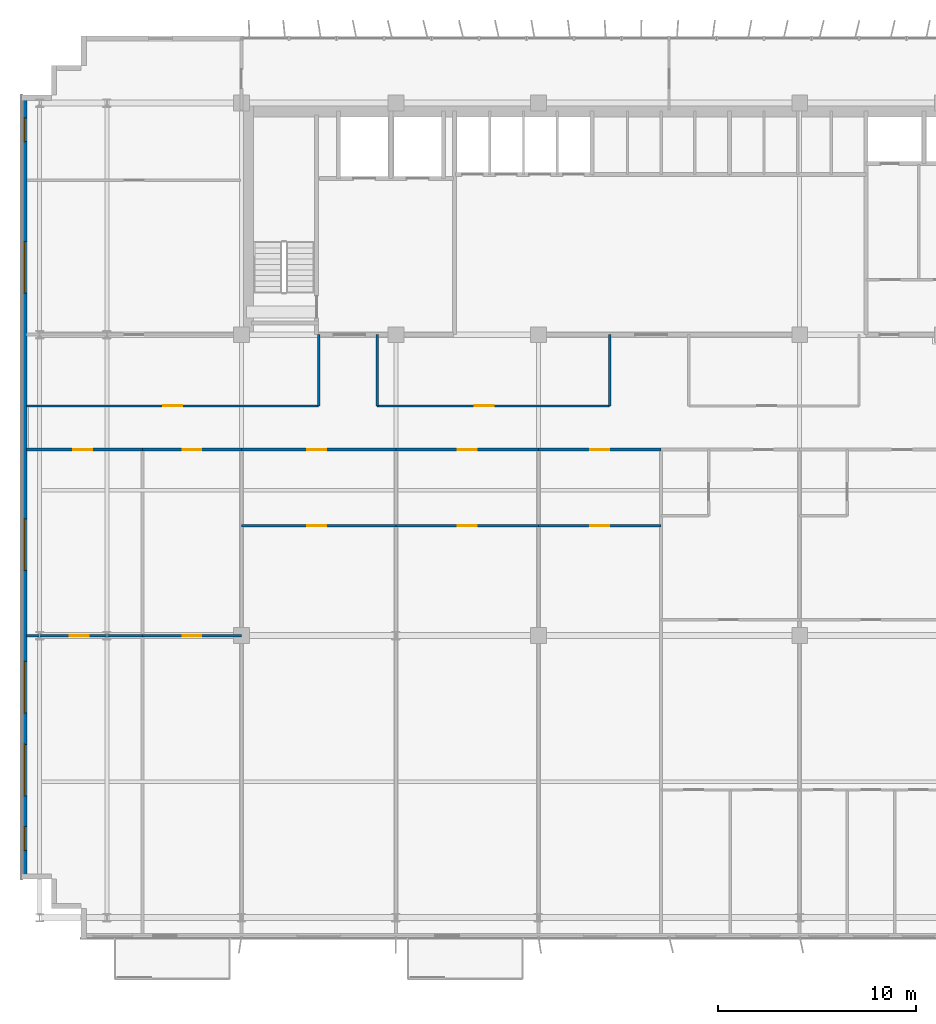
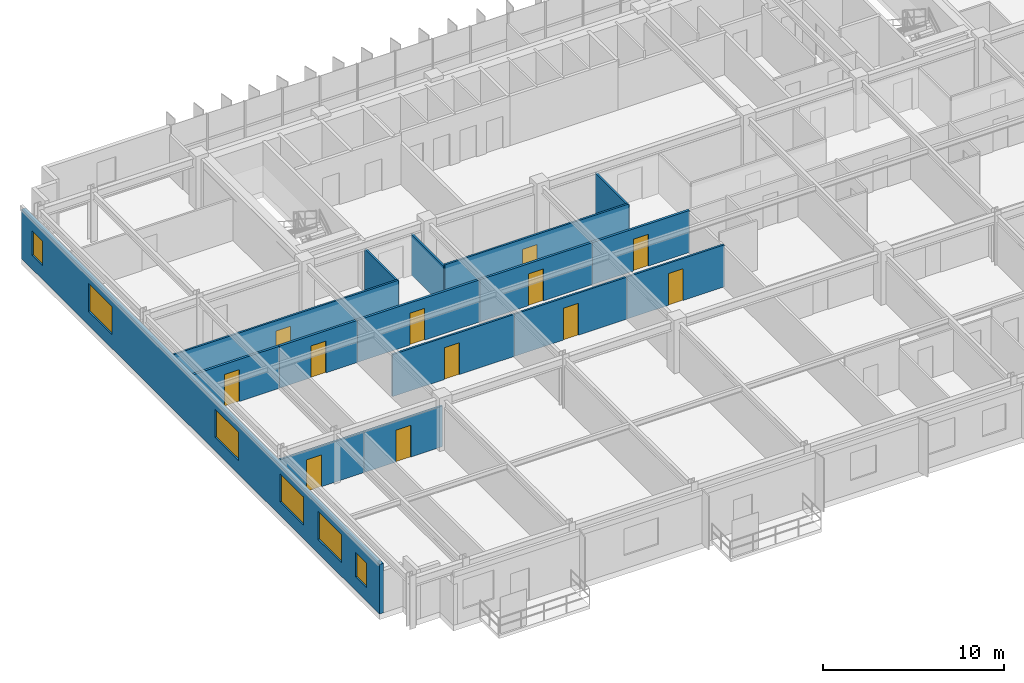
# One storey, part 14 of 22: 16 walls, 12 doors, 6 windows, 18 openings.
"""IFC4 building model written with IfcOpenShell, lengths in metres."""

from ifc_helpers import new_model, si_unit, direction, frame, frame_2d, origin, place, context, subcontext, project, spatial, rectangle, extrude, source, transform, mapped, material, layer, layer_set, type_object, element, fill, save


model = new_model("IFC4")

# Units and contexts
model_context = context("Model", 3, precision=1e-05, world=origin(), true_north=direction((0.0, 1.0)))
body_context = subcontext(model_context, "Body", "Model", "MODEL_VIEW")
ifc_project = project(units=[si_unit("LENGTHUNIT", "METRE"), si_unit("AREAUNIT", "SQUARE_METRE"), si_unit("VOLUMEUNIT", "CUBIC_METRE"), si_unit("PLANEANGLEUNIT", "RADIAN"), si_unit("MASSUNIT", "GRAM", prefix="KILO")], contexts=[model_context])

# Site, building, storey
site_placement = place(None, origin())
site = spatial("IfcSite", under=ifc_project, at=site_placement, CompositionType="ELEMENT")
building_placement = place(site_placement, origin())
building = spatial("IfcBuilding", under=site, at=building_placement, Name="Trelvane Seafront Commons", CompositionType="ELEMENT")
storey_placement = place(building_placement, frame((0.0, 0.0, 81.699951171875)))
storey = spatial("IfcBuildingStorey", under=building, at=storey_placement, Name="L20", CompositionType="ELEMENT", Elevation=81.699951171875)

# Wall, openings, windows
ifc_material_1 = material(Name="Precast concrete C40/50", Category="concrete")
ifc_layer_1 = layer(ifc_material_1, 0.260009765625, Name="ARCH-WALL-EXT260")
ifc_layer_set_1 = layer_set([ifc_layer_1], Name="Precast concrete C40/50")
wall_type_1 = type_object("IfcWallType", Name="ARCH-WALL-EXT260", PredefinedType="SOLIDWALL", material=ifc_layer_set_1)
wall_1_placement = place(storey_placement, frame((4.6298828125, 5.89990234375, 0.0), z_axis=(0.0, 0.0, 1.0), x_axis=(0.0, 1.0, 0.0)))
wall_1 = element("IfcWall", 1, at=wall_1_placement, inside=storey, type_object=wall_type_1, Name="EW-L20-00354", PredefinedType="SOLIDWALL", context=body_context, shape_type="SweptSolid", body=[
    extrude(rectangle(XDim=39.60009765625, YDim=0.260009765625, at=frame_2d((19.800048828125, 0.0))), origin(), (0.0, 0.0, 1.0), 3.340087890625),
])
opening_1_placement = place(wall_1_placement, frame((1.449951171875, 0.0, 0.919921875)))
opening_1 = element("IfcOpeningElement", 2, at=opening_1_placement, cuts=wall_1, Name="Opening W05", PredefinedType="OPENING", context=body_context, shape_type="SweptSolid", body=[
    extrude(rectangle(XDim=1.199951171875, YDim=1.64990234375, at=frame_2d((0.60009765625, 0.824951171875))), frame((0.0, 0.139892578125, 0.0), z_axis=(0.0, -1.0, 0.0), x_axis=(1.0, 0.0, 0.0)), (0.0, 0.0, 1.0), 0.280029296875),
])
opening_2_placement = place(wall_1_placement, frame((4.199951171875, 0.0, 0.919921875)))
opening_2 = element("IfcOpeningElement", 3, at=opening_2_placement, cuts=wall_1, Name="Opening W04", PredefinedType="OPENING", context=body_context, shape_type="SweptSolid", body=[
    extrude(rectangle(XDim=2.60009765625, YDim=1.89990234375, at=frame_2d((1.300048828125, 0.949951171875))), frame((0.0, 0.139892578125, 0.0), z_axis=(0.0, -1.0, 0.0), x_axis=(1.0, 0.0, 0.0)), (0.0, 0.0, 1.0), 0.280029296875),
])
opening_3_placement = place(wall_1_placement, frame((8.39990234375, 0.0, 0.919921875)))
opening_3 = element("IfcOpeningElement", 4, at=opening_3_placement, cuts=wall_1, Name="Opening W04", PredefinedType="OPENING", context=body_context, shape_type="SweptSolid", body=[
    extrude(rectangle(XDim=2.60009765625, YDim=1.89990234375, at=frame_2d((1.300048828125, 0.949951171875))), frame((0.0, 0.139892578125, 0.0), z_axis=(0.0, -1.0, 0.0), x_axis=(1.0, 0.0, 0.0)), (0.0, 0.0, 1.0), 0.280029296875),
])
opening_4_placement = place(wall_1_placement, frame((15.60009765625, 0.0, 0.919921875)))
opening_4 = element("IfcOpeningElement", 5, at=opening_4_placement, cuts=wall_1, Name="Opening W04", PredefinedType="OPENING", context=body_context, shape_type="SweptSolid", body=[
    extrude(rectangle(XDim=2.60009765625, YDim=1.89990234375, at=frame_2d((1.300048828125, 0.949951171875))), frame((0.0, 0.139892578125, 0.0), z_axis=(0.0, -1.0, 0.0), x_axis=(1.0, 0.0, 0.0)), (0.0, 0.0, 1.0), 0.280029296875),
])
opening_5_placement = place(wall_1_placement, frame((29.60009765625, 0.0, 0.919921875)))
opening_5 = element("IfcOpeningElement", 6, at=opening_5_placement, cuts=wall_1, Name="Opening W04", PredefinedType="OPENING", context=body_context, shape_type="SweptSolid", body=[
    extrude(rectangle(XDim=2.60009765625, YDim=1.89990234375, at=frame_2d((1.300048828125, 0.949951171875))), frame((0.0, 0.139892578125, 0.0), z_axis=(0.0, -1.0, 0.0), x_axis=(1.0, 0.0, 0.0)), (0.0, 0.0, 1.0), 0.280029296875),
])
opening_6_placement = place(wall_1_placement, frame((37.25, 0.0, 0.919921875)))
opening_6 = element("IfcOpeningElement", 7, at=opening_6_placement, cuts=wall_1, Name="Opening W05", PredefinedType="OPENING", context=body_context, shape_type="SweptSolid", body=[
    extrude(rectangle(XDim=1.199951171875, YDim=1.64990234375, at=frame_2d((0.60009765625, 0.824951171875))), frame((0.0, 0.139892578125, 0.0), z_axis=(0.0, -1.0, 0.0), x_axis=(1.0, 0.0, 0.0)), (0.0, 0.0, 1.0), 0.280029296875),
])
ifc_material_2 = material(Name="Low-E coastal double glazing", Category="glass")
window_type_1 = type_object("IfcWindowType", Name="ARCH-WIN-W04", PartitioningType="SINGLE_PANEL", PredefinedType="WINDOW", material=ifc_material_2)
shared_shape_1 = source(origin(), body_context, "Body", "SweptSolid", [
    extrude(rectangle(XDim=2.60009765625, YDim=1.89990234375, at=frame_2d((1.300048828125, 0.949951171875))), frame((0.0, 0.030029296875, 0.0), z_axis=(0.0, -1.0, 0.0), x_axis=(1.0, 0.0, 0.0)), (0.0, 0.0, 1.0), 0.06005859375),
])
window_1_placement = place(opening_2_placement, origin())
window_1 = element("IfcWindow", 8, at=window_1_placement, inside=storey, type_object=window_type_1, Name="WIN-L20-EW-00399", OverallHeight=1.89990234375, OverallWidth=2.60009765625, PartitioningType="SINGLE_PANEL", PredefinedType="WINDOW", context=body_context, shape_type="MappedRepresentation", body=[
    mapped(shared_shape_1, transform((0.0, 0.0, 0.0), x_axis=(1.0, 0.0, 0.0), y_axis=(0.0, 1.0, 0.0), z_axis=(0.0, 0.0, 1.0), scale=1.0)),
])
fill(opening_2, window_1)
window_2_placement = place(opening_3_placement, origin())
window_2 = element("IfcWindow", 9, at=window_2_placement, inside=storey, type_object=window_type_1, Name="WIN-L20-EW-00400", OverallHeight=1.89990234375, OverallWidth=2.60009765625, PartitioningType="SINGLE_PANEL", PredefinedType="WINDOW", context=body_context, shape_type="MappedRepresentation", body=[
    mapped(shared_shape_1, transform((0.0, 0.0, 0.0), x_axis=(1.0, 0.0, 0.0), y_axis=(0.0, 1.0, 0.0), z_axis=(0.0, 0.0, 1.0), scale=1.0)),
])
fill(opening_3, window_2)
window_3_placement = place(opening_4_placement, origin())
window_3 = element("IfcWindow", 10, at=window_3_placement, inside=storey, type_object=window_type_1, Name="WIN-L20-EW-00401", OverallHeight=1.89990234375, OverallWidth=2.60009765625, PartitioningType="SINGLE_PANEL", PredefinedType="WINDOW", context=body_context, shape_type="MappedRepresentation", body=[
    mapped(shared_shape_1, transform((0.0, 0.0, 0.0), x_axis=(1.0, 0.0, 0.0), y_axis=(0.0, 1.0, 0.0), z_axis=(0.0, 0.0, 1.0), scale=1.0)),
])
fill(opening_4, window_3)
window_4_placement = place(opening_5_placement, origin())
window_4 = element("IfcWindow", 11, at=window_4_placement, inside=storey, type_object=window_type_1, Name="WIN-L20-EW-00402", OverallHeight=1.89990234375, OverallWidth=2.60009765625, PartitioningType="SINGLE_PANEL", PredefinedType="WINDOW", context=body_context, shape_type="MappedRepresentation", body=[
    mapped(shared_shape_1, transform((0.0, 0.0, 0.0), x_axis=(1.0, 0.0, 0.0), y_axis=(0.0, 1.0, 0.0), z_axis=(0.0, 0.0, 1.0), scale=1.0)),
])
fill(opening_5, window_4)
window_type_2 = type_object("IfcWindowType", Name="ARCH-WIN-W05", PartitioningType="SINGLE_PANEL", PredefinedType="WINDOW", material=ifc_material_2)
shared_shape_2 = source(origin(), body_context, "Body", "SweptSolid", [
    extrude(rectangle(XDim=1.199951171875, YDim=1.64990234375, at=frame_2d((0.60009765625, 0.824951171875))), frame((0.0, 0.030029296875, 0.0), z_axis=(0.0, -1.0, 0.0), x_axis=(1.0, 0.0, 0.0)), (0.0, 0.0, 1.0), 0.06005859375),
])
window_5_placement = place(opening_1_placement, origin())
window_5 = element("IfcWindow", 12, at=window_5_placement, inside=storey, type_object=window_type_2, Name="WIN-L20-EW-00398", OverallHeight=1.64990234375, OverallWidth=1.199951171875, PartitioningType="SINGLE_PANEL", PredefinedType="WINDOW", context=body_context, shape_type="MappedRepresentation", body=[
    mapped(shared_shape_2, transform((0.0, 0.0, 0.0), x_axis=(1.0, 0.0, 0.0), y_axis=(0.0, 1.0, 0.0), z_axis=(0.0, 0.0, 1.0), scale=1.0)),
])
fill(opening_1, window_5)
window_6_placement = place(opening_6_placement, origin())
window_6 = element("IfcWindow", 13, at=window_6_placement, inside=storey, type_object=window_type_2, Name="WIN-L20-EW-00403", OverallHeight=1.64990234375, OverallWidth=1.199951171875, PartitioningType="SINGLE_PANEL", PredefinedType="WINDOW", context=body_context, shape_type="MappedRepresentation", body=[
    mapped(shared_shape_2, transform((0.0, 0.0, 0.0), x_axis=(1.0, 0.0, 0.0), y_axis=(0.0, 1.0, 0.0), z_axis=(0.0, 0.0, 1.0), scale=1.0)),
])
fill(opening_6, window_6)

# Wall, opening, door
ifc_material_3 = material(Name="Gypsum Drywall Acoustic Partition")
ifc_layer_2 = layer(ifc_material_3, 0.1201171875, Name="ARCH-WALL-PART120")
ifc_layer_set_2 = layer_set([ifc_layer_2], Name="Gypsum Drywall Acoustic Partition")
wall_type_2 = type_object("IfcWallType", Name="ARCH-WALL-PART120", PredefinedType="PARTITIONING", material=ifc_layer_set_2)
wall_2_placement = place(storey_placement, frame((4.75, 29.800048828125, 0.0), z_axis=(0.0, 0.0, 1.0), x_axis=(1.0, 0.0, 0.0)))
wall_2 = element("IfcWall", 14, at=wall_2_placement, inside=storey, type_object=wall_type_2, Name="W-L20-CORR-N-W-038", PredefinedType="PARTITIONING", context=body_context, shape_type="SweptSolid", body=[
    extrude(rectangle(XDim=14.75, YDim=0.1201171875, at=frame_2d((7.375, 0.0))), origin(), (0.0, 0.0, 1.0), 2.840087890625),
])
opening_7_placement = place(wall_2_placement, frame((6.89990234375, 0.0, 0.0)))
opening_7 = element("IfcOpeningElement", 15, at=opening_7_placement, cuts=wall_2, Name="Opening D-L20-18", PredefinedType="OPENING", context=body_context, shape_type="SweptSolid", body=[
    extrude(rectangle(XDim=0.949951171875, YDim=2.14990234375, at=frame_2d((0.47509765625, 1.074951171875))), frame((0.0, 0.070068359375, 0.0), z_axis=(0.0, -1.0, 0.0), x_axis=(1.0, 0.0, 0.0)), (0.0, 0.0, 1.0), 0.14013671875),
])
ifc_material_4 = material(Name="Acoustic timber door leaf", Category="wood")
door_type_1 = type_object("IfcDoorType", Name="ARCH-DR-INT950", OperationType="NOTDEFINED", PredefinedType="DOOR", material=ifc_material_4)
shared_shape_3 = source(origin(), body_context, "Body", "SweptSolid", [
    extrude(rectangle(XDim=0.949951171875, YDim=2.14990234375, at=frame_2d((0.47509765625, 1.074951171875))), frame((0.0, 0.02490234375, 0.0), z_axis=(0.0, -1.0, 0.0), x_axis=(1.0, 0.0, 0.0)), (0.0, 0.0, 1.0), 0.050048828125),
])
door_1_placement = place(opening_7_placement, origin())
door_1 = element("IfcDoor", 16, at=door_1_placement, inside=storey, type_object=door_type_1, Name="L20 Door 18", OperationType="SINGLE_SWING_RIGHT", OverallHeight=2.14990234375, OverallWidth=0.949951171875, PredefinedType="DOOR", context=body_context, shape_type="MappedRepresentation", body=[
    mapped(shared_shape_3, transform((0.0, 0.0, 0.0), x_axis=(1.0, 0.0, 0.0), y_axis=(0.0, 1.0, 0.0), z_axis=(0.0, 0.0, 1.0), scale=1.0)),
])
fill(opening_7, door_1)

wall_3_placement = place(storey_placement, frame((22.449951171875, 29.800048828125, 0.0), z_axis=(0.0, 0.0, 1.0), x_axis=(1.0, 0.0, 0.0)))
wall_3 = element("IfcWall", 17, at=wall_3_placement, inside=storey, type_object=wall_type_2, Name="W-L20-CORR-N-M1-039", PredefinedType="PARTITIONING", context=body_context, shape_type="SweptSolid", body=[
    extrude(rectangle(XDim=11.75, YDim=0.1201171875, at=frame_2d((5.875, 0.0))), origin(), (0.0, 0.0, 1.0), 2.840087890625),
])
opening_8_placement = place(wall_3_placement, frame((4.944091796875, 0.0, 0.0)))
opening_8 = element("IfcOpeningElement", 18, at=opening_8_placement, cuts=wall_3, Name="Opening D-L20-19", PredefinedType="OPENING", context=body_context, shape_type="SweptSolid", body=[
    extrude(rectangle(XDim=0.949951171875, YDim=2.14990234375, at=frame_2d((0.47509765625, 1.074951171875))), frame((0.0, 0.070068359375, 0.0), z_axis=(0.0, -1.0, 0.0), x_axis=(1.0, 0.0, 0.0)), (0.0, 0.0, 1.0), 0.14013671875),
])
door_2_placement = place(opening_8_placement, origin())
door_2 = element("IfcDoor", 19, at=door_2_placement, inside=storey, type_object=door_type_1, Name="L20 Door 19", OperationType="SINGLE_SWING_LEFT", OverallHeight=2.14990234375, OverallWidth=0.949951171875, PredefinedType="DOOR", context=body_context, shape_type="MappedRepresentation", body=[
    mapped(shared_shape_3, transform((0.0, 0.0, 0.0), x_axis=(1.0, 0.0, 0.0), y_axis=(0.0, 1.0, 0.0), z_axis=(0.0, 0.0, 1.0), scale=1.0)),
])
fill(opening_8, door_2)

# Walls
for number, where, z_axis, x_axis, name in (
    (20, (19.5, 29.800048828125, 0.0), (0.0, 0.0, 1.0), (0.0, 1.0, 0.0), "W-L20-N-SPUR-W1-043"),
    (21, (22.449951171875, 29.800048828125, 0.0), (0.0, 0.0, 1.0), (0.0, 1.0, 0.0), "W-L20-N-SPUR-W2-044"),
    (22, (34.199951171875, 29.800048828125, 0.0), (0.0, 0.0, 1.0), (0.0, 1.0, 0.0), "W-L20-N-SPUR-M1-045"),
):
    element("IfcWall", number, at=place(storey_placement, frame(where, z_axis=z_axis, x_axis=x_axis)), inside=storey, type_object=wall_type_2, Name=name, PredefinedType="PARTITIONING", context=body_context, shape_type="SweptSolid", body=[
        extrude(rectangle(XDim=3.599853515625, YDim=0.1201171875, at=frame_2d((1.7998046875, 0.0))), origin(), (0.0, 0.0, 1.0), 2.751953125),
    ])

# Wall, opening, door
wall_4_placement = place(storey_placement, frame((4.7451171875, 18.199951171875, 0.0), z_axis=(0.0, 0.0, 1.0), x_axis=(1.0, 0.0, 0.0)))
wall_4 = element("IfcWall", 23, at=wall_4_placement, inside=storey, type_object=wall_type_2, Name="W-L20-U1-DIV-070", PredefinedType="PARTITIONING", context=body_context, shape_type="SweptSolid", body=[
    extrude(rectangle(XDim=5.85498046875, YDim=0.1201171875, at=frame_2d((2.927490234375, 0.0))), origin(), (0.0, 0.0, 1.0), 2.751953125),
])
opening_9_placement = place(wall_4_placement, frame((2.181884765625, 0.0, 0.0)))
opening_9 = element("IfcOpeningElement", 24, at=opening_9_placement, cuts=wall_4, Name="Opening D-L20-33", PredefinedType="OPENING", context=body_context, shape_type="SweptSolid", body=[
    extrude(rectangle(XDim=0.949951171875, YDim=2.14990234375, at=frame_2d((0.47509765625, 1.074951171875))), frame((0.0, 0.070068359375, 0.0), z_axis=(0.0, -1.0, 0.0), x_axis=(1.0, 0.0, 0.0)), (0.0, 0.0, 1.0), 0.14013671875),
])
door_3_placement = place(opening_9_placement, origin())
door_3 = element("IfcDoor", 25, at=door_3_placement, inside=storey, type_object=door_type_1, Name="L20 Door 33", OperationType="SINGLE_SWING_LEFT", OverallHeight=2.14990234375, OverallWidth=0.949951171875, PredefinedType="DOOR", context=body_context, shape_type="MappedRepresentation", body=[
    mapped(shared_shape_3, transform((0.0, 0.0, 0.0), x_axis=(1.0, 0.0, 0.0), y_axis=(0.0, 1.0, 0.0), z_axis=(0.0, 0.0, 1.0), scale=1.0)),
])
fill(opening_9, door_3)

wall_5_placement = place(storey_placement, frame((10.60009765625, 18.199951171875, 0.0), z_axis=(0.0, 0.0, 1.0), x_axis=(1.0, 0.0, 0.0)))
wall_5 = element("IfcWall", 26, at=wall_5_placement, inside=storey, type_object=wall_type_2, Name="W-L20-U2-DIV-072", PredefinedType="PARTITIONING", context=body_context, shape_type="SweptSolid", body=[
    extrude(rectangle(XDim=5.0, YDim=0.1201171875, at=frame_2d((2.5, 0.0))), origin(), (0.0, 0.0, 1.0), 2.751953125),
])
opening_10_placement = place(wall_5_placement, frame((2.02490234375, 0.0, 0.0)))
opening_10 = element("IfcOpeningElement", 27, at=opening_10_placement, cuts=wall_5, Name="Opening D-L20-35", PredefinedType="OPENING", context=body_context, shape_type="SweptSolid", body=[
    extrude(rectangle(XDim=0.949951171875, YDim=2.14990234375, at=frame_2d((0.47509765625, 1.074951171875))), frame((0.0, 0.070068359375, 0.0), z_axis=(0.0, -1.0, 0.0), x_axis=(1.0, 0.0, 0.0)), (0.0, 0.0, 1.0), 0.14013671875),
])
door_4_placement = place(opening_10_placement, origin())
door_4 = element("IfcDoor", 28, at=door_4_placement, inside=storey, type_object=door_type_1, Name="L20 Door 35", OperationType="SINGLE_SWING_LEFT", OverallHeight=2.14990234375, OverallWidth=0.949951171875, PredefinedType="DOOR", context=body_context, shape_type="MappedRepresentation", body=[
    mapped(shared_shape_3, transform((0.0, 0.0, 0.0), x_axis=(1.0, 0.0, 0.0), y_axis=(0.0, 1.0, 0.0), z_axis=(0.0, 0.0, 1.0), scale=1.0)),
])
fill(opening_10, door_4)

wall_6_placement = place(storey_placement, frame((15.60009765625, 23.75, 0.0), z_axis=(0.0, 0.0, 1.0), x_axis=(1.0, 0.0, 0.0)))
wall_6 = element("IfcWall", 29, at=wall_6_placement, inside=storey, type_object=wall_type_2, Name="W-L20-U3-DIV-074", PredefinedType="PARTITIONING", context=body_context, shape_type="SweptSolid", body=[
    extrude(rectangle(XDim=7.7998046875, YDim=0.1201171875, at=frame_2d((3.89990234375, 0.0))), origin(), (0.0, 0.0, 1.0), 2.840087890625),
])
opening_11_placement = place(wall_6_placement, frame((3.3330078125, 0.0, 0.0)))
opening_11 = element("IfcOpeningElement", 30, at=opening_11_placement, cuts=wall_6, Name="Opening D-L20-37", PredefinedType="OPENING", context=body_context, shape_type="SweptSolid", body=[
    extrude(rectangle(XDim=0.949951171875, YDim=2.14990234375, at=frame_2d((0.47509765625, 1.074951171875))), frame((0.0, 0.070068359375, 0.0), z_axis=(0.0, -1.0, 0.0), x_axis=(1.0, 0.0, 0.0)), (0.0, 0.0, 1.0), 0.14013671875),
])
door_5_placement = place(opening_11_placement, origin())
door_5 = element("IfcDoor", 31, at=door_5_placement, inside=storey, type_object=door_type_1, Name="L20 Door 37", OperationType="SINGLE_SWING_LEFT", OverallHeight=2.14990234375, OverallWidth=0.949951171875, PredefinedType="DOOR", context=body_context, shape_type="MappedRepresentation", body=[
    mapped(shared_shape_3, transform((0.0, 0.0, 0.0), x_axis=(1.0, 0.0, 0.0), y_axis=(0.0, 1.0, 0.0), z_axis=(0.0, 0.0, 1.0), scale=1.0)),
])
fill(opening_11, door_5)

wall_7_placement = place(storey_placement, frame((23.39990234375, 23.75, 0.0), z_axis=(0.0, 0.0, 1.0), x_axis=(1.0, 0.0, 0.0)))
wall_7 = element("IfcWall", 32, at=wall_7_placement, inside=storey, type_object=wall_type_2, Name="W-L20-U4-DIV-076", PredefinedType="PARTITIONING", context=body_context, shape_type="SweptSolid", body=[
    extrude(rectangle(XDim=7.2001953125, YDim=0.1201171875, at=frame_2d((3.60009765625, 0.0))), origin(), (0.0, 0.0, 1.0), 2.840087890625),
])
opening_12_placement = place(wall_7_placement, frame((3.125, 0.0, 0.0)))
opening_12 = element("IfcOpeningElement", 33, at=opening_12_placement, cuts=wall_7, Name="Opening D-L20-39", PredefinedType="OPENING", context=body_context, shape_type="SweptSolid", body=[
    extrude(rectangle(XDim=0.949951171875, YDim=2.14990234375, at=frame_2d((0.47509765625, 1.074951171875))), frame((0.0, 0.070068359375, 0.0), z_axis=(0.0, -1.0, 0.0), x_axis=(1.0, 0.0, 0.0)), (0.0, 0.0, 1.0), 0.14013671875),
])
door_6_placement = place(opening_12_placement, origin())
door_6 = element("IfcDoor", 34, at=door_6_placement, inside=storey, type_object=door_type_1, Name="L20 Door 39", OperationType="SINGLE_SWING_LEFT", OverallHeight=2.14990234375, OverallWidth=0.949951171875, PredefinedType="DOOR", context=body_context, shape_type="MappedRepresentation", body=[
    mapped(shared_shape_3, transform((0.0, 0.0, 0.0), x_axis=(1.0, 0.0, 0.0), y_axis=(0.0, 1.0, 0.0), z_axis=(0.0, 0.0, 1.0), scale=1.0)),
])
fill(opening_12, door_6)

wall_8_placement = place(storey_placement, frame((30.60009765625, 23.75, 0.0), z_axis=(0.0, 0.0, 1.0), x_axis=(1.0, 0.0, 0.0)))
wall_8 = element("IfcWall", 35, at=wall_8_placement, inside=storey, type_object=wall_type_2, Name="W-L20-U5-DIV-078", PredefinedType="PARTITIONING", context=body_context, shape_type="SweptSolid", body=[
    extrude(rectangle(XDim=6.199951171875, YDim=0.1201171875, at=frame_2d((3.10009765625, 0.0))), origin(), (0.0, 0.0, 1.0), 2.840087890625),
])
opening_13_placement = place(wall_8_placement, frame((2.625, 0.0, 0.0)))
opening_13 = element("IfcOpeningElement", 36, at=opening_13_placement, cuts=wall_8, Name="Opening D-L20-41", PredefinedType="OPENING", context=body_context, shape_type="SweptSolid", body=[
    extrude(rectangle(XDim=0.949951171875, YDim=2.14990234375, at=frame_2d((0.47509765625, 1.074951171875))), frame((0.0, 0.070068359375, 0.0), z_axis=(0.0, -1.0, 0.0), x_axis=(1.0, 0.0, 0.0)), (0.0, 0.0, 1.0), 0.14013671875),
])
door_7_placement = place(opening_13_placement, origin())
door_7 = element("IfcDoor", 37, at=door_7_placement, inside=storey, type_object=door_type_1, Name="L20 Door 41", OperationType="SINGLE_SWING_LEFT", OverallHeight=2.14990234375, OverallWidth=0.949951171875, PredefinedType="DOOR", context=body_context, shape_type="MappedRepresentation", body=[
    mapped(shared_shape_3, transform((0.0, 0.0, 0.0), x_axis=(1.0, 0.0, 0.0), y_axis=(0.0, 1.0, 0.0), z_axis=(0.0, 0.0, 1.0), scale=1.0)),
])
fill(opening_13, door_7)

ifc_layer_3 = layer(ifc_material_3, 0.14990234375, Name="ARCH-WALL-PART150")
ifc_layer_set_3 = layer_set([ifc_layer_3], Name="Gypsum Drywall Acoustic Partition")
wall_type_3 = type_object("IfcWallType", Name="ARCH-WALL-PART150", PredefinedType="PARTITIONING", material=ifc_layer_set_3)
wall_9_placement = place(storey_placement, frame((4.7451171875, 27.60009765625, 0.0), z_axis=(0.0, 0.0, 1.0), x_axis=(1.0, 0.0, 0.0)))
wall_9 = element("IfcWall", 38, at=wall_9_placement, inside=storey, type_object=wall_type_3, Name="W-L20-CS-BAY-1-069", PredefinedType="PARTITIONING", context=body_context, shape_type="SweptSolid", body=[
    extrude(rectangle(XDim=5.85498046875, YDim=0.14990234375, at=frame_2d((2.927490234375, 0.0))), origin(), (0.0, 0.0, 1.0), 2.840087890625),
])
opening_14_placement = place(wall_9_placement, frame((2.362060546875, 0.0, 0.0)))
opening_14 = element("IfcOpeningElement", 39, at=opening_14_placement, cuts=wall_9, Name="Opening FD-L20-32", PredefinedType="OPENING", context=body_context, shape_type="SweptSolid", body=[
    extrude(rectangle(XDim=0.949951171875, YDim=2.14990234375, at=frame_2d((0.47509765625, 1.074951171875))), frame((0.0, 0.0849609375, 0.0), z_axis=(0.0, -1.0, 0.0), x_axis=(1.0, 0.0, 0.0)), (0.0, 0.0, 1.0), 0.169921875),
])
ifc_material_5 = material(Name="Powder-coated aluminium frame", Category="aluminium")
door_type_2 = type_object("IfcDoorType", Name="ARCH-DR-FD60-950", OperationType="NOTDEFINED", PredefinedType="DOOR", material=ifc_material_5)
door_8_placement = place(opening_14_placement, origin())
door_8 = element("IfcDoor", 40, at=door_8_placement, inside=storey, type_object=door_type_2, Name="L20 Bay 01 Entrance Door", OperationType="SINGLE_SWING_RIGHT", OverallHeight=2.14990234375, OverallWidth=0.949951171875, PredefinedType="DOOR", context=body_context, shape_type="MappedRepresentation", body=[
    mapped(shared_shape_3, transform((0.0, 0.0, 0.0), x_axis=(1.0, 0.0, 0.0), y_axis=(0.0, 1.0, 0.0), z_axis=(0.0, 0.0, 1.0), scale=1.0)),
])
fill(opening_14, door_8)

wall_10_placement = place(storey_placement, frame((10.60009765625, 27.60009765625, 0.0), z_axis=(0.0, 0.0, 1.0), x_axis=(1.0, 0.0, 0.0)))
wall_10 = element("IfcWall", 41, at=wall_10_placement, inside=storey, type_object=wall_type_3, Name="W-L20-CS-BAY-2-071", PredefinedType="PARTITIONING", context=body_context, shape_type="SweptSolid", body=[
    extrude(rectangle(XDim=5.0, YDim=0.14990234375, at=frame_2d((2.5, 0.0))), origin(), (0.0, 0.0, 1.0), 2.840087890625),
])
opening_15_placement = place(wall_10_placement, frame((2.02490234375, 0.0, 0.0)))
opening_15 = element("IfcOpeningElement", 42, at=opening_15_placement, cuts=wall_10, Name="Opening FD-L20-34", PredefinedType="OPENING", context=body_context, shape_type="SweptSolid", body=[
    extrude(rectangle(XDim=0.949951171875, YDim=2.14990234375, at=frame_2d((0.47509765625, 1.074951171875))), frame((0.0, 0.0849609375, 0.0), z_axis=(0.0, -1.0, 0.0), x_axis=(1.0, 0.0, 0.0)), (0.0, 0.0, 1.0), 0.169921875),
])
door_9_placement = place(opening_15_placement, origin())
door_9 = element("IfcDoor", 43, at=door_9_placement, inside=storey, type_object=door_type_2, Name="L20 Bay 02 Entrance Door", OperationType="SINGLE_SWING_RIGHT", OverallHeight=2.14990234375, OverallWidth=0.949951171875, PredefinedType="DOOR", context=body_context, shape_type="MappedRepresentation", body=[
    mapped(shared_shape_3, transform((0.0, 0.0, 0.0), x_axis=(1.0, 0.0, 0.0), y_axis=(0.0, 1.0, 0.0), z_axis=(0.0, 0.0, 1.0), scale=1.0)),
])
fill(opening_15, door_9)

wall_11_placement = place(storey_placement, frame((15.60009765625, 27.60009765625, 0.0), z_axis=(0.0, 0.0, 1.0), x_axis=(1.0, 0.0, 0.0)))
wall_11 = element("IfcWall", 44, at=wall_11_placement, inside=storey, type_object=wall_type_3, Name="W-L20-CS-BAY-3-073", PredefinedType="PARTITIONING", context=body_context, shape_type="SweptSolid", body=[
    extrude(rectangle(XDim=7.7998046875, YDim=0.14990234375, at=frame_2d((3.89990234375, 0.0))), origin(), (0.0, 0.0, 1.0), 2.840087890625),
])
opening_16_placement = place(wall_11_placement, frame((3.3330078125, 0.0, 0.0)))
opening_16 = element("IfcOpeningElement", 45, at=opening_16_placement, cuts=wall_11, Name="Opening FD-L20-36", PredefinedType="OPENING", context=body_context, shape_type="SweptSolid", body=[
    extrude(rectangle(XDim=0.949951171875, YDim=2.14990234375, at=frame_2d((0.47509765625, 1.074951171875))), frame((0.0, 0.0849609375, 0.0), z_axis=(0.0, -1.0, 0.0), x_axis=(1.0, 0.0, 0.0)), (0.0, 0.0, 1.0), 0.169921875),
])
door_10_placement = place(opening_16_placement, origin())
door_10 = element("IfcDoor", 46, at=door_10_placement, inside=storey, type_object=door_type_2, Name="L20 Bay 03 Entrance Door", OperationType="SINGLE_SWING_RIGHT", OverallHeight=2.14990234375, OverallWidth=0.949951171875, PredefinedType="DOOR", context=body_context, shape_type="MappedRepresentation", body=[
    mapped(shared_shape_3, transform((0.0, 0.0, 0.0), x_axis=(1.0, 0.0, 0.0), y_axis=(0.0, 1.0, 0.0), z_axis=(0.0, 0.0, 1.0), scale=1.0)),
])
fill(opening_16, door_10)

wall_12_placement = place(storey_placement, frame((23.39990234375, 27.60009765625, 0.0), z_axis=(0.0, 0.0, 1.0), x_axis=(1.0, 0.0, 0.0)))
wall_12 = element("IfcWall", 47, at=wall_12_placement, inside=storey, type_object=wall_type_3, Name="W-L20-CS-BAY-4-075", PredefinedType="PARTITIONING", context=body_context, shape_type="SweptSolid", body=[
    extrude(rectangle(XDim=7.2001953125, YDim=0.14990234375, at=frame_2d((3.60009765625, 0.0))), origin(), (0.0, 0.0, 1.0), 2.840087890625),
])
opening_17_placement = place(wall_12_placement, frame((3.125, 0.0, 0.0)))
opening_17 = element("IfcOpeningElement", 48, at=opening_17_placement, cuts=wall_12, Name="Opening FD-L20-38", PredefinedType="OPENING", context=body_context, shape_type="SweptSolid", body=[
    extrude(rectangle(XDim=0.949951171875, YDim=2.14990234375, at=frame_2d((0.47509765625, 1.074951171875))), frame((0.0, 0.0849609375, 0.0), z_axis=(0.0, -1.0, 0.0), x_axis=(1.0, 0.0, 0.0)), (0.0, 0.0, 1.0), 0.169921875),
])
door_11_placement = place(opening_17_placement, origin())
door_11 = element("IfcDoor", 49, at=door_11_placement, inside=storey, type_object=door_type_2, Name="L20 Bay 04 Entrance Door", OperationType="SINGLE_SWING_RIGHT", OverallHeight=2.14990234375, OverallWidth=0.949951171875, PredefinedType="DOOR", context=body_context, shape_type="MappedRepresentation", body=[
    mapped(shared_shape_3, transform((0.0, 0.0, 0.0), x_axis=(1.0, 0.0, 0.0), y_axis=(0.0, 1.0, 0.0), z_axis=(0.0, 0.0, 1.0), scale=1.0)),
])
fill(opening_17, door_11)

wall_13_placement = place(storey_placement, frame((30.60009765625, 27.60009765625, 0.0), z_axis=(0.0, 0.0, 1.0), x_axis=(1.0, 0.0, 0.0)))
wall_13 = element("IfcWall", 50, at=wall_13_placement, inside=storey, type_object=wall_type_3, Name="W-L20-CS-BAY-5-077", PredefinedType="PARTITIONING", context=body_context, shape_type="SweptSolid", body=[
    extrude(rectangle(XDim=6.199951171875, YDim=0.14990234375, at=frame_2d((3.10009765625, 0.0))), origin(), (0.0, 0.0, 1.0), 2.840087890625),
])
opening_18_placement = place(wall_13_placement, frame((2.625, 0.0, 0.0)))
opening_18 = element("IfcOpeningElement", 51, at=opening_18_placement, cuts=wall_13, Name="Opening FD-L20-40", PredefinedType="OPENING", context=body_context, shape_type="SweptSolid", body=[
    extrude(rectangle(XDim=0.949951171875, YDim=2.14990234375, at=frame_2d((0.47509765625, 1.074951171875))), frame((0.0, 0.0849609375, 0.0), z_axis=(0.0, -1.0, 0.0), x_axis=(1.0, 0.0, 0.0)), (0.0, 0.0, 1.0), 0.169921875),
])
door_12_placement = place(opening_18_placement, origin())
door_12 = element("IfcDoor", 52, at=door_12_placement, inside=storey, type_object=door_type_2, Name="L20 Bay 05 Entrance Door", OperationType="SINGLE_SWING_RIGHT", OverallHeight=2.14990234375, OverallWidth=0.949951171875, PredefinedType="DOOR", context=body_context, shape_type="MappedRepresentation", body=[
    mapped(shared_shape_3, transform((0.0, 0.0, 0.0), x_axis=(1.0, 0.0, 0.0), y_axis=(0.0, 1.0, 0.0), z_axis=(0.0, 0.0, 1.0), scale=1.0)),
])
fill(opening_18, door_12)

save(model, "model.ifc")
